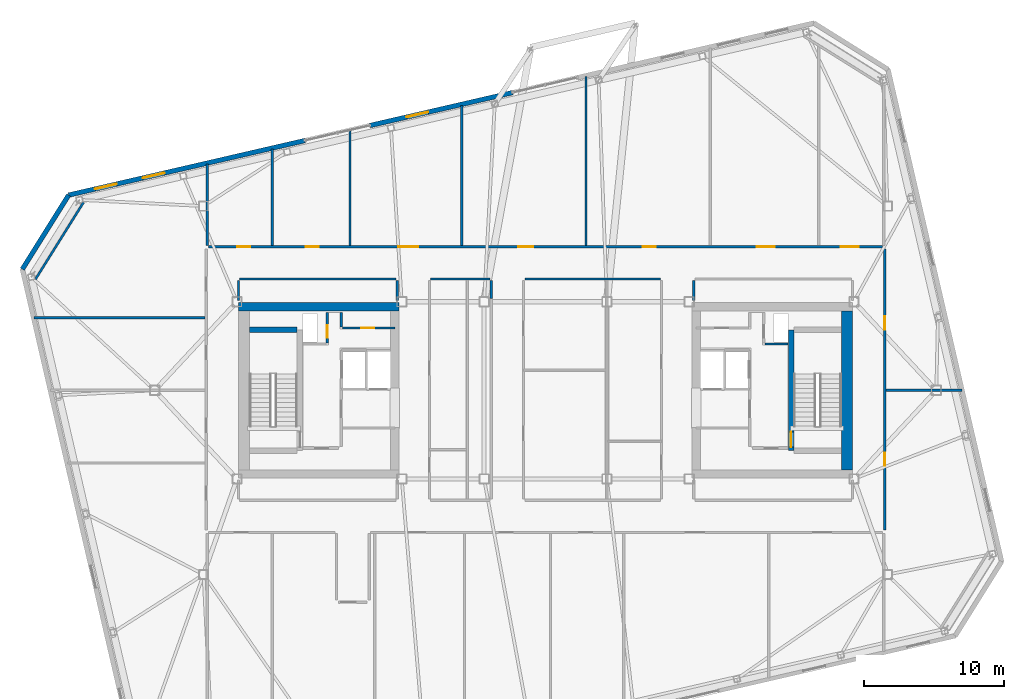
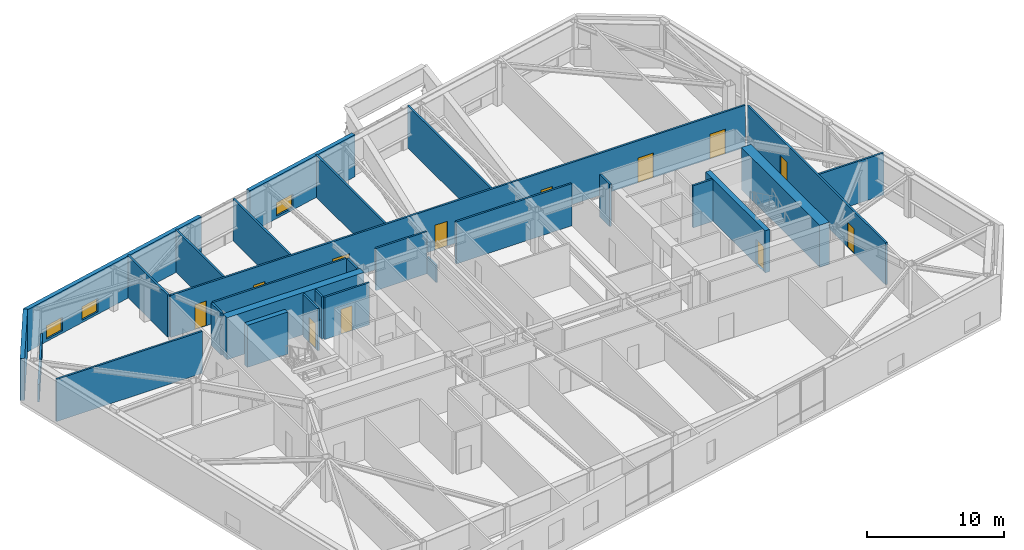
# One storey, part 18 of 23: 28 walls, 12 doors, 3 windows, 15 openings.
"""IFC4 building model written with IfcOpenShell, lengths in metres."""

from ifc_helpers import new_model, si_unit, direction, frame, frame_2d, origin, place, context, subcontext, project, spatial, rectangle, extrude, material, layer, layer_set, type_object, element, fill, save


model = new_model("IFC4")

# Units and contexts
model_context = context("Model", 3, precision=1e-05, world=origin(), true_north=direction((0.0, 1.0)))
body_context = subcontext(model_context, "Body", "Model", "MODEL_VIEW")
ifc_project = project(units=[si_unit("LENGTHUNIT", "METRE"), si_unit("AREAUNIT", "SQUARE_METRE"), si_unit("VOLUMEUNIT", "CUBIC_METRE"), si_unit("PLANEANGLEUNIT", "RADIAN"), si_unit("MASSUNIT", "GRAM", prefix="KILO")], contexts=[model_context])

# Site, building, storey
site_placement = place(None, origin())
site = spatial("IfcSite", under=ifc_project, at=site_placement, CompositionType="ELEMENT")
building_placement = place(site_placement, origin())
building = spatial("IfcBuilding", under=site, at=building_placement, Name="Tavrogorsk Clinical Tower", CompositionType="ELEMENT")
storey_placement = place(building_placement, frame((0.0, 0.0, 305.0)))
storey = spatial("IfcBuildingStorey", under=building, at=storey_placement, Name="L71", CompositionType="ELEMENT", Elevation=305.0)

# Wall, opening, door
ifc_material_1 = material(Name="Lightweight concrete blockwork B15", Category="masonry")
ifc_layer_1 = layer(ifc_material_1, 0.159912109375)
ifc_layer_set_1 = layer_set([ifc_layer_1], Name="Lightweight concrete blockwork B15")
wall_type_1 = type_object("IfcWallType", Name="PartitionWall_160", PredefinedType="PARTITIONING", material=ifc_layer_set_1)
wall_1_placement = place(storey_placement, frame((-14.554931640625, 4.4599609375, 0.0), z_axis=(0.0, 0.0, 1.0), x_axis=(1.0, 0.0, 0.0)))
wall_1 = element("IfcWall", 1, at=wall_1_placement, inside=storey, type_object=wall_type_1, Name="L71 Core West Pneumatic Dispatch South Wall", PredefinedType="PARTITIONING", context=body_context, shape_type="SweptSolid", body=[
    extrude(rectangle(XDim=3.7548828125, YDim=0.159912109375, at=frame_2d((1.87744140625, 0.0))), origin(), (0.0, 0.0, 1.0), 3.739990234375),
])
opening_1_placement = place(wall_1_placement, frame((1.35009765625, 0.0, 0.0)))
opening_1 = element("IfcOpeningElement", 2, at=opening_1_placement, cuts=wall_1, Name="Opening ID-02", PredefinedType="OPENING", context=body_context, shape_type="SweptSolid", body=[
    extrude(rectangle(XDim=0.949951171875, YDim=2.199951171875, at=frame_2d((0.47509765625, 1.10009765625))), frame((0.0, 0.08984375, 0.0), z_axis=(0.0, -1.0, 0.0), x_axis=(1.0, 0.0, 0.0)), (0.0, 0.0, 1.0), 0.179931640625),
])
ifc_material_2 = material(Name="Laminated timber leaf on aluminium frame", Category="wood")
door_type_1 = type_object("IfcDoorType", Name="InteriorDoor_ID02_950", OperationType="NOTDEFINED", PredefinedType="DOOR", material=ifc_material_2)
door_1_placement = place(opening_1_placement, origin())
door_1 = element("IfcDoor", 3, at=door_1_placement, inside=storey, type_object=door_type_1, Name="L71 Core West Pneumatic Dispatch Door", OperationType="SINGLE_SWING_LEFT", OverallHeight=2.199951171875, OverallWidth=0.949951171875, PredefinedType="DOOR", context=body_context, shape_type="SweptSolid", body=[
    extrude(rectangle(XDim=0.949951171875, YDim=2.199951171875, at=frame_2d((0.47509765625, 1.10009765625))), frame((0.0, 0.02490234375, 0.0), z_axis=(0.0, -1.0, 0.0), x_axis=(1.0, 0.0, 0.0)), (0.0, 0.0, 1.0), 0.050048828125),
])
fill(opening_1, door_1)

# Walls
wall_2_placement = place(storey_placement, frame((-14.639892578125, 4.544921875, 0.0), z_axis=(0.0, 0.0, 1.0), x_axis=(0.0, 1.0, 0.0)))
element("IfcWall", 4, at=wall_2_placement, inside=storey, type_object=wall_type_1, Name="L71 Core West Pneumatic Dispatch East Wall", PredefinedType="PARTITIONING", context=body_context, shape_type="SweptSolid", body=[
    extrude(rectangle(XDim=1.01513671875, YDim=0.159912109375, at=frame_2d((0.507568359375, 0.0))), origin(), (0.0, 0.0, 1.0), 3.739990234375),
])
wall_3_placement = place(storey_placement, frame((-33.10009765625, 13.464599609375, 0.0), z_axis=(0.0, 0.0, 1.0), x_axis=(-0.529958457806, -0.848023604035, 0.0)))
element("IfcWall", 5, at=wall_3_placement, inside=storey, type_object=wall_type_1, Name="L71 Corner Exoskeleton Brace Furring Wall 3", PredefinedType="PARTITIONING", context=body_context, shape_type="SweptSolid", body=[
    extrude(rectangle(XDim=6.505126953125, YDim=0.159912109375, at=frame_2d((3.25244140625, 0.0))), origin(), (0.0, 0.0, 1.0), 1.534912109375),
])

# Wall, openings, doors
wall_4_placement = place(storey_placement, frame((-24.14501953125, 10.280029296875, 0.0), z_axis=(0.0, 0.0, 1.0), x_axis=(1.0, 0.0, 0.0)))
wall_4 = element("IfcWall", 6, at=wall_4_placement, inside=storey, type_object=wall_type_1, Name="L71 Corridor Partition 02", PredefinedType="PARTITIONING", context=body_context, shape_type="SweptSolid", body=[
    extrude(rectangle(XDim=48.2900390625, YDim=0.159912109375, at=frame_2d((24.14501953125, 0.0))), origin(), (0.0, 0.0, 1.0), 3.739990234375),
])
opening_2_placement = place(wall_4_placement, frame((2.044189453125, 0.0, 0.0)))
opening_2 = element("IfcOpeningElement", 7, at=opening_2_placement, cuts=wall_4, Name="Opening ID-02", PredefinedType="OPENING", context=body_context, shape_type="SweptSolid", body=[
    extrude(rectangle(XDim=0.949951171875, YDim=2.199951171875, at=frame_2d((0.47509765625, 1.10009765625))), frame((0.0, 0.08984375, 0.0), z_axis=(0.0, -1.0, 0.0), x_axis=(1.0, 0.0, 0.0)), (0.0, 0.0, 1.0), 0.179931640625),
])
opening_3_placement = place(wall_4_placement, frame((6.965087890625, 0.0, 0.0)))
opening_3 = element("IfcOpeningElement", 8, at=opening_3_placement, cuts=wall_4, Name="Opening ID-02", PredefinedType="OPENING", context=body_context, shape_type="SweptSolid", body=[
    extrude(rectangle(XDim=0.949951171875, YDim=2.199951171875, at=frame_2d((0.47509765625, 1.10009765625))), frame((0.0, 0.08984375, 0.0), z_axis=(0.0, -1.0, 0.0), x_axis=(1.0, 0.0, 0.0)), (0.0, 0.0, 1.0), 0.179931640625),
])
opening_4_placement = place(wall_4_placement, frame((13.580078125, 0.0, 0.0)))
opening_4 = element("IfcOpeningElement", 9, at=opening_4_placement, cuts=wall_4, Name="Opening ID-05", PredefinedType="OPENING", context=body_context, shape_type="SweptSolid", body=[
    extrude(rectangle(XDim=1.449951171875, YDim=2.199951171875, at=frame_2d((0.72509765625, 1.10009765625))), frame((0.0, 0.08984375, 0.0), z_axis=(0.0, -1.0, 0.0), x_axis=(1.0, 0.0, 0.0)), (0.0, 0.0, 1.0), 0.179931640625),
])
opening_5_placement = place(wall_4_placement, frame((22.205078125, 0.0, 0.0)))
opening_5 = element("IfcOpeningElement", 10, at=opening_5_placement, cuts=wall_4, Name="Opening ID-04", PredefinedType="OPENING", context=body_context, shape_type="SweptSolid", body=[
    extrude(rectangle(XDim=1.050048828125, YDim=2.199951171875, at=frame_2d((0.52490234375, 1.10009765625))), frame((0.0, 0.08984375, 0.0), z_axis=(0.0, -1.0, 0.0), x_axis=(1.0, 0.0, 0.0)), (0.0, 0.0, 1.0), 0.179931640625),
])
opening_6_placement = place(wall_4_placement, frame((31.10498046875, 0.0, 0.0)))
opening_6 = element("IfcOpeningElement", 11, at=opening_6_placement, cuts=wall_4, Name="Opening ID-02", PredefinedType="OPENING", context=body_context, shape_type="SweptSolid", body=[
    extrude(rectangle(XDim=0.949951171875, YDim=2.199951171875, at=frame_2d((0.47509765625, 1.10009765625))), frame((0.0, 0.08984375, 0.0), z_axis=(0.0, -1.0, 0.0), x_axis=(1.0, 0.0, 0.0)), (0.0, 0.0, 1.0), 0.179931640625),
])
opening_7_placement = place(wall_4_placement, frame((39.27001953125, 0.0, 0.0)))
opening_7 = element("IfcOpeningElement", 12, at=opening_7_placement, cuts=wall_4, Name="Opening ID-01", PredefinedType="OPENING", context=body_context, shape_type="SweptSolid", body=[
    extrude(rectangle(XDim=1.300048828125, YDim=2.199951171875, at=frame_2d((0.64990234375, 1.10009765625))), frame((0.0, 0.08984375, 0.0), z_axis=(0.0, -1.0, 0.0), x_axis=(1.0, 0.0, 0.0)), (0.0, 0.0, 1.0), 0.179931640625),
])
opening_8_placement = place(wall_4_placement, frame((45.291015625, 0.0, 0.0)))
opening_8 = element("IfcOpeningElement", 13, at=opening_8_placement, cuts=wall_4, Name="Opening ID-01", PredefinedType="OPENING", context=body_context, shape_type="SweptSolid", body=[
    extrude(rectangle(XDim=1.300048828125, YDim=2.199951171875, at=frame_2d((0.64990234375, 1.10009765625))), frame((0.0, 0.08984375, 0.0), z_axis=(0.0, -1.0, 0.0), x_axis=(1.0, 0.0, 0.0)), (0.0, 0.0, 1.0), 0.179931640625),
])
ifc_material_3 = material(Name="Antibacterial HPL consultation door on aluminium frame", Category="aluminium")
door_type_2 = type_object("IfcDoorType", Name="ConsultDoor_ID04_1050", OperationType="NOTDEFINED", PredefinedType="DOOR", material=ifc_material_3)
door_2_placement = place(opening_5_placement, origin())
door_2 = element("IfcDoor", 14, at=door_2_placement, inside=storey, type_object=door_type_2, Name="L71 North Physician Consultation Office 04 Door", OperationType="SINGLE_SWING_RIGHT", OverallHeight=2.199951171875, OverallWidth=1.050048828125, PredefinedType="DOOR", context=body_context, shape_type="SweptSolid", body=[
    extrude(rectangle(XDim=1.050048828125, YDim=2.199951171875, at=frame_2d((0.52490234375, 1.10009765625))), frame((0.0, 0.02490234375, 0.0), z_axis=(0.0, -1.0, 0.0), x_axis=(1.0, 0.0, 0.0)), (0.0, 0.0, 1.0), 0.050048828125),
])
fill(opening_5, door_2)
ifc_material_4 = material(Name="Antibacterial HPL bariatric ward double door")
door_type_3 = type_object("IfcDoorType", Name="DoubleWardDoor_ID05_1450", OperationType="DOUBLE_SWING_LEFT", PredefinedType="DOOR", material=ifc_material_4)
door_3_placement = place(opening_4_placement, origin())
door_3 = element("IfcDoor", 15, at=door_3_placement, inside=storey, type_object=door_type_3, Name="L71 North Step-Down Telemetry Ward 03 Door", OperationType="DOUBLE_SWING_LEFT", OverallHeight=2.199951171875, OverallWidth=1.449951171875, PredefinedType="DOOR", context=body_context, shape_type="SweptSolid", body=[
    extrude(rectangle(XDim=1.449951171875, YDim=2.199951171875, at=frame_2d((0.72509765625, 1.10009765625))), frame((0.0, 0.02490234375, 0.0), z_axis=(0.0, -1.0, 0.0), x_axis=(1.0, 0.0, 0.0)), (0.0, 0.0, 1.0), 0.050048828125),
])
fill(opening_4, door_3)
door_4_placement = place(opening_2_placement, origin())
door_4 = element("IfcDoor", 16, at=door_4_placement, inside=storey, type_object=door_type_1, Name="L71 North Diagnostic Ultrasound Suite 01 Door", OperationType="SINGLE_SWING_LEFT", OverallHeight=2.199951171875, OverallWidth=0.949951171875, PredefinedType="DOOR", context=body_context, shape_type="SweptSolid", body=[
    extrude(rectangle(XDim=0.949951171875, YDim=2.199951171875, at=frame_2d((0.47509765625, 1.10009765625))), frame((0.0, 0.02490234375, 0.0), z_axis=(0.0, -1.0, 0.0), x_axis=(1.0, 0.0, 0.0)), (0.0, 0.0, 1.0), 0.050048828125),
])
fill(opening_2, door_4)
door_5_placement = place(opening_3_placement, origin())
door_5 = element("IfcDoor", 17, at=door_5_placement, inside=storey, type_object=door_type_1, Name="L71 North Physiotherapy Rehab Studio 02 Door", OperationType="SINGLE_SWING_RIGHT", OverallHeight=2.199951171875, OverallWidth=0.949951171875, PredefinedType="DOOR", context=body_context, shape_type="SweptSolid", body=[
    extrude(rectangle(XDim=0.949951171875, YDim=2.199951171875, at=frame_2d((0.47509765625, 1.10009765625))), frame((0.0, 0.02490234375, 0.0), z_axis=(0.0, -1.0, 0.0), x_axis=(1.0, 0.0, 0.0)), (0.0, 0.0, 1.0), 0.050048828125),
])
fill(opening_3, door_5)
door_6_placement = place(opening_6_placement, origin())
door_6 = element("IfcDoor", 18, at=door_6_placement, inside=storey, type_object=door_type_1, Name="L71 North Patient & Family Quiet Lounge 05 Door", OperationType="SINGLE_SWING_LEFT", OverallHeight=2.199951171875, OverallWidth=0.949951171875, PredefinedType="DOOR", context=body_context, shape_type="SweptSolid", body=[
    extrude(rectangle(XDim=0.949951171875, YDim=2.199951171875, at=frame_2d((0.47509765625, 1.10009765625))), frame((0.0, 0.02490234375, 0.0), z_axis=(0.0, -1.0, 0.0), x_axis=(1.0, 0.0, 0.0)), (0.0, 0.0, 1.0), 0.050048828125),
])
fill(opening_6, door_6)
ifc_material_5 = material(Name="Antibacterial HPL medical leaf on aluminium frame", Category="aluminium")
door_type_4 = type_object("IfcDoorType", Name="WardBedDoor_ID01_1300", OperationType="NOTDEFINED", PredefinedType="DOOR", material=ifc_material_5)
door_7_placement = place(opening_7_placement, origin())
door_7 = element("IfcDoor", 19, at=door_7_placement, inside=storey, type_object=door_type_4, Name="L71 North Acute Isolation Suite 06 Door", OperationType="SINGLE_SWING_RIGHT", OverallHeight=2.199951171875, OverallWidth=1.300048828125, PredefinedType="DOOR", context=body_context, shape_type="SweptSolid", body=[
    extrude(rectangle(XDim=1.300048828125, YDim=2.199951171875, at=frame_2d((0.64990234375, 1.10009765625))), frame((0.0, 0.02490234375, 0.0), z_axis=(0.0, -1.0, 0.0), x_axis=(1.0, 0.0, 0.0)), (0.0, 0.0, 1.0), 0.050048828125),
])
fill(opening_7, door_7)
door_8_placement = place(opening_8_placement, origin())
door_8 = element("IfcDoor", 20, at=door_8_placement, inside=storey, type_object=door_type_4, Name="L71 North Sub-Acute Recovery Ward 07 Door", OperationType="SINGLE_SWING_LEFT", OverallHeight=2.199951171875, OverallWidth=1.300048828125, PredefinedType="DOOR", context=body_context, shape_type="SweptSolid", body=[
    extrude(rectangle(XDim=1.300048828125, YDim=2.199951171875, at=frame_2d((0.64990234375, 1.10009765625))), frame((0.0, 0.02490234375, 0.0), z_axis=(0.0, -1.0, 0.0), x_axis=(1.0, 0.0, 0.0)), (0.0, 0.0, 1.0), 0.050048828125),
])
fill(opening_8, door_8)

wall_5_placement = place(storey_placement, frame((24.31005859375, 10.114990234375, 0.0), z_axis=(0.0, 0.0, 1.0), x_axis=(0.0, -1.0, 0.0)))
wall_5 = element("IfcWall", 21, at=wall_5_placement, inside=storey, type_object=wall_type_1, Name="L71 Corridor Partition 03", PredefinedType="PARTITIONING", context=body_context, shape_type="SweptSolid", body=[
    extrude(rectangle(XDim=20.1298828125, YDim=0.159912109375, at=frame_2d((10.06494140625, 0.0))), origin(), (0.0, 0.0, 1.0), 3.739990234375),
])
opening_9_placement = place(wall_5_placement, frame((14.580810546875, 0.0, 0.0)))
opening_9 = element("IfcOpeningElement", 22, at=opening_9_placement, cuts=wall_5, Name="Opening ID-02", PredefinedType="OPENING", context=body_context, shape_type="SweptSolid", body=[
    extrude(rectangle(XDim=0.949951171875, YDim=2.199951171875, at=frame_2d((0.47509765625, 1.10009765625))), frame((0.0, 0.08984375, 0.0), z_axis=(0.0, -1.0, 0.0), x_axis=(1.0, 0.0, 0.0)), (0.0, 0.0, 1.0), 0.179931640625),
])
opening_10_placement = place(wall_5_placement, frame((4.819091796875, 0.0, 0.0)))
opening_10 = element("IfcOpeningElement", 23, at=opening_10_placement, cuts=wall_5, Name="Opening ID-02", PredefinedType="OPENING", context=body_context, shape_type="SweptSolid", body=[
    extrude(rectangle(XDim=0.949951171875, YDim=2.199951171875, at=frame_2d((0.47509765625, 1.10009765625))), frame((0.0, 0.08984375, 0.0), z_axis=(0.0, -1.0, 0.0), x_axis=(1.0, 0.0, 0.0)), (0.0, 0.0, 1.0), 0.179931640625),
])
door_9_placement = place(opening_9_placement, origin())
door_9 = element("IfcDoor", 24, at=door_9_placement, inside=storey, type_object=door_type_1, Name="L71 E Senior Clinician Suite 1 Door", OperationType="SINGLE_SWING_LEFT", OverallHeight=2.199951171875, OverallWidth=0.949951171875, PredefinedType="DOOR", context=body_context, shape_type="SweptSolid", body=[
    extrude(rectangle(XDim=0.949951171875, YDim=2.199951171875, at=frame_2d((0.47509765625, 1.10009765625))), frame((0.0, 0.02490234375, 0.0), z_axis=(0.0, -1.0, 0.0), x_axis=(1.0, 0.0, 0.0)), (0.0, 0.0, 1.0), 0.050048828125),
])
fill(opening_9, door_9)
door_10_placement = place(opening_10_placement, origin())
door_10 = element("IfcDoor", 25, at=door_10_placement, inside=storey, type_object=door_type_1, Name="L71 E Multidisciplinary Seminar Suite 2 Door", OperationType="SINGLE_SWING_RIGHT", OverallHeight=2.199951171875, OverallWidth=0.949951171875, PredefinedType="DOOR", context=body_context, shape_type="SweptSolid", body=[
    extrude(rectangle(XDim=0.949951171875, YDim=2.199951171875, at=frame_2d((0.47509765625, 1.10009765625))), frame((0.0, 0.02490234375, 0.0), z_axis=(0.0, -1.0, 0.0), x_axis=(1.0, 0.0, 0.0)), (0.0, 0.0, 1.0), 0.050048828125),
])
fill(opening_10, door_10)

# Walls
wall_6_placement = place(storey_placement, frame((10.6298828125, 7.885009765625, 0.0), z_axis=(0.0, 0.0, 1.0), x_axis=(0.0, -1.0, 0.0)))
element("IfcWall", 26, at=wall_6_placement, inside=storey, type_object=wall_type_1, Name="L71 Corridor Partition 10", PredefinedType="PARTITIONING", context=body_context, shape_type="SweptSolid", body=[
    extrude(rectangle(XDim=1.465087890625, YDim=0.159912109375, at=frame_2d((0.732421875, 0.0))), origin(), (0.0, 0.0, 1.0), 3.739990234375),
])
wall_7_placement = place(storey_placement, frame((8.235107421875, 7.969970703125, 0.0), z_axis=(0.0, 0.0, 1.0), x_axis=(-1.0, 0.0, 0.0)))
element("IfcWall", 27, at=wall_7_placement, inside=storey, type_object=wall_type_1, Name="L71 Corridor Partition 15", PredefinedType="PARTITIONING", context=body_context, shape_type="SweptSolid", body=[
    extrude(rectangle(XDim=9.72021484375, YDim=0.159912109375, at=frame_2d((4.860107421875, 0.0))), origin(), (0.0, 0.0, 1.0), 3.739990234375),
])
wall_8_placement = place(storey_placement, frame((-3.8798828125, 6.580322265625, 0.0), z_axis=(0.0, 0.0, 1.0), x_axis=(0.0, 1.0, 0.0)))
element("IfcWall", 28, at=wall_8_placement, inside=storey, type_object=wall_type_1, Name="L71 Corridor Partition 19", PredefinedType="PARTITIONING", context=body_context, shape_type="SweptSolid", body=[
    extrude(rectangle(XDim=1.3046875, YDim=0.159912109375, at=frame_2d((0.65234375, 0.0))), origin(), (0.0, 0.0, 1.0), 1.534912109375),
])
wall_9_placement = place(storey_placement, frame((-3.965087890625, 7.969970703125, 0.0), z_axis=(0.0, 0.0, 1.0), x_axis=(-1.0, 0.0, 0.0)))
element("IfcWall", 29, at=wall_9_placement, inside=storey, type_object=wall_type_1, Name="L71 Corridor Partition 20", PredefinedType="PARTITIONING", context=body_context, shape_type="SweptSolid", body=[
    extrude(rectangle(XDim=4.27001953125, YDim=0.159912109375, at=frame_2d((2.135009765625, 0.0))), origin(), (0.0, 0.0, 1.0), 3.739990234375),
])
wall_10_placement = place(storey_placement, frame((-10.6298828125, 6.419921875, 0.0), z_axis=(0.0, 0.0, 1.0), x_axis=(0.0, 1.0, 0.0)))
element("IfcWall", 30, at=wall_10_placement, inside=storey, type_object=wall_type_1, Name="L71 Corridor Partition 24", PredefinedType="PARTITIONING", context=body_context, shape_type="SweptSolid", body=[
    extrude(rectangle(XDim=1.465087890625, YDim=0.159912109375, at=frame_2d((0.732421875, 0.0))), origin(), (0.0, 0.0, 1.0), 3.739990234375),
])
wall_11_placement = place(storey_placement, frame((-10.715087890625, 7.969970703125, 0.0), z_axis=(0.0, 0.0, 1.0), x_axis=(-1.0, 0.0, 0.0)))
element("IfcWall", 31, at=wall_11_placement, inside=storey, type_object=wall_type_1, Name="L71 Corridor Partition 25", PredefinedType="PARTITIONING", context=body_context, shape_type="SweptSolid", body=[
    extrude(rectangle(XDim=11.199951171875, YDim=0.159912109375, at=frame_2d((5.60009765625, 0.0))), origin(), (0.0, 0.0, 1.0), 3.739990234375),
])
wall_12_placement = place(storey_placement, frame((-22.0, 7.885009765625, 0.0), z_axis=(0.0, 0.0, 1.0), x_axis=(0.0, -1.0, 0.0)))
element("IfcWall", 32, at=wall_12_placement, inside=storey, type_object=wall_type_1, Name="L71 Corridor Partition 26", PredefinedType="PARTITIONING", context=body_context, shape_type="SweptSolid", body=[
    extrude(rectangle(XDim=1.465087890625, YDim=0.159912109375, at=frame_2d((0.732421875, 0.0))), origin(), (0.0, 0.0, 1.0), 3.739990234375),
])
wall_13_placement = place(storey_placement, frame((-24.22998046875, 10.364990234375, 0.0), z_axis=(0.0, 0.0, 1.0), x_axis=(0.0, 1.0, 0.0)))
element("IfcWall", 33, at=wall_13_placement, inside=storey, type_object=wall_type_1, Name="L71 NW Wing Closure Partition", PredefinedType="PARTITIONING", context=body_context, shape_type="SweptSolid", body=[
    extrude(rectangle(XDim=5.845947265625, YDim=0.159912109375, at=frame_2d((2.9228515625, 0.0))), origin(), (0.0, 0.0, 1.0), 3.739990234375),
])
wall_14_placement = place(storey_placement, frame((-19.580078125, 10.364990234375, 0.0), z_axis=(0.0, 0.0, 1.0), x_axis=(0.0, 1.0, 0.0)))
element("IfcWall", 34, at=wall_14_placement, inside=storey, type_object=wall_type_1, Name="L71 North Room Partition 1", PredefinedType="PARTITIONING", context=body_context, shape_type="SweptSolid", body=[
    extrude(rectangle(XDim=6.91943359375, YDim=0.159912109375, at=frame_2d((3.459716796875, 0.0))), origin(), (0.0, 0.0, 1.0), 3.739990234375),
])
wall_15_placement = place(storey_placement, frame((-14.0, 10.364990234375, 0.0), z_axis=(0.0, 0.0, 1.0), x_axis=(0.0, 1.0, 0.0)))
element("IfcWall", 35, at=wall_15_placement, inside=storey, type_object=wall_type_1, Name="L71 North Room Partition 2", PredefinedType="PARTITIONING", context=body_context, shape_type="SweptSolid", body=[
    extrude(rectangle(XDim=8.207763671875, YDim=0.159912109375, at=frame_2d((4.10400390625, 0.0))), origin(), (0.0, 0.0, 1.0), 3.739990234375),
])
wall_16_placement = place(storey_placement, frame((-6.0, 10.364990234375, 0.0), z_axis=(0.0, 0.0, 1.0), x_axis=(0.0, 1.0, 0.0)))
element("IfcWall", 36, at=wall_16_placement, inside=storey, type_object=wall_type_1, Name="L71 North Room Partition 3", PredefinedType="PARTITIONING", context=body_context, shape_type="SweptSolid", body=[
    extrude(rectangle(XDim=10.0546875, YDim=0.159912109375, at=frame_2d((5.02734375, 0.0))), origin(), (0.0, 0.0, 1.0), 3.739990234375),
])
wall_17_placement = place(storey_placement, frame((2.89990234375, 10.364990234375, 0.0), z_axis=(0.0, 0.0, 1.0), x_axis=(0.0, 1.0, 0.0)))
element("IfcWall", 37, at=wall_17_placement, inside=storey, type_object=wall_type_1, Name="L71 North Room Partition 4", PredefinedType="PARTITIONING", context=body_context, shape_type="SweptSolid", body=[
    extrude(rectangle(XDim=12.109375, YDim=0.159912109375, at=frame_2d((6.0546875, 0.0))), origin(), (0.0, 0.0, 1.0), 3.739990234375),
])
wall_18_placement = place(storey_placement, frame((-36.662841796875, 5.199951171875, 0.0), z_axis=(0.0, 0.0, 1.0), x_axis=(1.0, 0.0, 0.0)))
element("IfcWall", 38, at=wall_18_placement, inside=storey, type_object=wall_type_1, Name="L71 W Wing Divider 3", PredefinedType="PARTITIONING", context=body_context, shape_type="SweptSolid", body=[
    extrude(rectangle(XDim=12.267822265625, YDim=0.159912109375, at=frame_2d((6.1337890625, 0.0))), origin(), (0.0, 0.0, 1.0), 3.739990234375),
])
wall_19_placement = place(storey_placement, frame((24.39501953125, 0.0, 0.0), z_axis=(0.0, 0.0, 1.0), x_axis=(1.0, 0.0, 0.0)))
element("IfcWall", 39, at=wall_19_placement, inside=storey, type_object=wall_type_1, Name="L71 E Wing Divider 1", PredefinedType="PARTITIONING", context=body_context, shape_type="SweptSolid", body=[
    extrude(rectangle(XDim=5.436279296875, YDim=0.159912109375, at=frame_2d((2.71826171875, 0.0))), origin(), (0.0, 0.0, 1.0), 3.739990234375),
])

# Wall, opening, window
ifc_material_6 = material(Name="Precast concrete B45 with limestone cladding", Category="masonry")
ifc_layer_2 = layer(ifc_material_6, 0.340087890625)
ifc_layer_set_2 = layer_set([ifc_layer_2], Name="Precast concrete B45 with limestone cladding")
wall_type_2 = type_object("IfcWallType", Name="PrecastLimestoneWall_340", PredefinedType="STANDARD", material=ifc_layer_set_2)
wall_20_placement = place(storey_placement, frame((-2.3681640625, 21.330078125, 0.0), z_axis=(0.0, 0.0, 1.0), x_axis=(-0.974367213107, -0.224963405961, 0.0)))
wall_20 = element("IfcWall", 40, at=wall_20_placement, inside=storey, type_object=wall_type_2, Name="L71 N Limestone Facade Wall 2", PredefinedType="STANDARD", context=body_context, shape_type="SweptSolid", body=[
    extrude(rectangle(XDim=10.46826171875, YDim=0.340087890625, at=frame_2d((5.234130859375, 0.0))), origin(), (0.0, 0.0, 1.0), 3.739990234375),
])
opening_11_placement = place(wall_20_placement, frame((6.190185546875, 0.0, 0.219970703125)))
opening_11 = element("IfcOpeningElement", 41, at=opening_11_placement, cuts=wall_20, Name="Opening WN-09", PredefinedType="OPENING", context=body_context, shape_type="SweptSolid", body=[
    extrude(rectangle(XDim=1.60009765625, YDim=1.199951171875, at=frame_2d((0.800048828125, 0.60009765625))), frame((0.0, 0.179931640625, 0.0), z_axis=(0.0, -1.0, 0.0), x_axis=(1.0, 0.0, 0.0)), (0.0, 0.0, 1.0), 0.360107421875),
])
ifc_material_7 = material(Name="Thermally broken aluminium frame and triple IGU", Category="aluminium")
window_type = type_object("IfcWindowType", Name="LowHeadTransWin_1600x1200", PartitioningType="DOUBLE_PANEL_VERTICAL", PredefinedType="WINDOW", material=ifc_material_7)
window_1_placement = place(opening_11_placement, origin())
window_1 = element("IfcWindow", 42, at=window_1_placement, inside=storey, type_object=window_type, Name="L71 N Chicago Window 05", OverallHeight=1.199951171875, OverallWidth=1.60009765625, PartitioningType="SINGLE_PANEL", PredefinedType="WINDOW", context=body_context, shape_type="SweptSolid", body=[
    extrude(rectangle(XDim=1.60009765625, YDim=1.199951171875, at=frame_2d((0.800048828125, 0.60009765625))), frame((0.0, 0.030029296875, 0.0), z_axis=(0.0, -1.0, 0.0), x_axis=(1.0, 0.0, 0.0)), (0.0, 0.0, 1.0), 0.06005859375),
])
fill(opening_11, window_1)

# Wall, openings, windows
wall_21_placement = place(storey_placement, frame((-17.2451171875, 17.895263671875, 0.0), z_axis=(0.0, 0.0, 1.0), x_axis=(-0.97437318493, -0.224937539085, 0.0)))
wall_21 = element("IfcWall", 43, at=wall_21_placement, inside=storey, type_object=wall_type_2, Name="L71 N Limestone Facade Wall 3", PredefinedType="STANDARD", context=body_context, shape_type="SweptSolid", body=[
    extrude(rectangle(XDim=17.365966796875, YDim=0.340087890625, at=frame_2d((8.68310546875, 0.0))), origin(), (0.0, 0.0, 1.0), 3.739990234375),
])
opening_12_placement = place(wall_21_placement, frame((13.82470703125, 0.0, 0.219970703125)))
opening_12 = element("IfcOpeningElement", 44, at=opening_12_placement, cuts=wall_21, Name="Opening WN-09", PredefinedType="OPENING", context=body_context, shape_type="SweptSolid", body=[
    extrude(rectangle(XDim=1.60009765625, YDim=1.199951171875, at=frame_2d((0.800048828125, 0.60009765625))), frame((0.0, 0.179931640625, 0.0), z_axis=(0.0, -1.0, 0.0), x_axis=(1.0, 0.0, 0.0)), (0.0, 0.0, 1.0), 0.360107421875),
])
opening_13_placement = place(wall_21_placement, frame((10.312744140625, 0.0, 0.219970703125)))
opening_13 = element("IfcOpeningElement", 45, at=opening_13_placement, cuts=wall_21, Name="Opening WN-09", PredefinedType="OPENING", context=body_context, shape_type="SweptSolid", body=[
    extrude(rectangle(XDim=1.60009765625, YDim=1.199951171875, at=frame_2d((0.800048828125, 0.60009765625))), frame((0.0, 0.179931640625, 0.0), z_axis=(0.0, -1.0, 0.0), x_axis=(1.0, 0.0, 0.0)), (0.0, 0.0, 1.0), 0.360107421875),
])
window_2_placement = place(opening_12_placement, origin())
window_2 = element("IfcWindow", 46, at=window_2_placement, inside=storey, type_object=window_type, Name="L71 N Chicago Window 01", OverallHeight=1.199951171875, OverallWidth=1.60009765625, PartitioningType="SINGLE_PANEL", PredefinedType="WINDOW", context=body_context, shape_type="SweptSolid", body=[
    extrude(rectangle(XDim=1.60009765625, YDim=1.199951171875, at=frame_2d((0.800048828125, 0.60009765625))), frame((0.0, 0.030029296875, 0.0), z_axis=(0.0, -1.0, 0.0), x_axis=(1.0, 0.0, 0.0)), (0.0, 0.0, 1.0), 0.06005859375),
])
fill(opening_12, window_2)
window_3_placement = place(opening_13_placement, origin())
window_3 = element("IfcWindow", 47, at=window_3_placement, inside=storey, type_object=window_type, Name="L71 N Chicago Window 02", OverallHeight=1.199951171875, OverallWidth=1.60009765625, PartitioningType="SINGLE_PANEL", PredefinedType="WINDOW", context=body_context, shape_type="SweptSolid", body=[
    extrude(rectangle(XDim=1.60009765625, YDim=1.199951171875, at=frame_2d((0.800048828125, 0.60009765625))), frame((0.0, 0.030029296875, 0.0), z_axis=(0.0, -1.0, 0.0), x_axis=(1.0, 0.0, 0.0)), (0.0, 0.0, 1.0), 0.06005859375),
])
fill(opening_13, window_3)

# Wall
wall_22_placement = place(storey_placement, frame((-34.165771484375, 13.989013671875, 0.0), z_axis=(0.0, 0.0, 1.0), x_axis=(-0.529935887993, -0.848037708252, 0.0)))
element("IfcWall", 48, at=wall_22_placement, inside=storey, type_object=wall_type_2, Name="L71 Chamfered Corner Wall 3", PredefinedType="STANDARD", context=body_context, shape_type="SweptSolid", body=[
    extrude(rectangle(XDim=6.26513671875, YDim=0.340087890625, at=frame_2d((3.132568359375, 0.0))), origin(), (0.0, 0.0, 1.0), 3.739990234375),
])

# Wall, opening, door
ifc_material_8 = material(Name="Lightweight concrete blockwork B25", Category="masonry")
ifc_layer_3 = layer(ifc_material_8, 0.159912109375)
ifc_layer_set_3 = layer_set([ifc_layer_3], Name="Lightweight concrete blockwork B25")
wall_type_3 = type_object("IfcWallType", Name="ShaftWall_160", PredefinedType="PARTITIONING", material=ifc_layer_set_3)
wall_23_placement = place(storey_placement, frame((-15.639892578125, 3.405029296875, 0.0), z_axis=(0.0, 0.0, 1.0), x_axis=(0.0, 1.0, 0.0)))
wall_23 = element("IfcWall", 49, at=wall_23_placement, inside=storey, type_object=wall_type_3, Name="L71 Core West Riser West Wall", PredefinedType="PARTITIONING", context=body_context, shape_type="SweptSolid", body=[
    extrude(rectangle(XDim=2.155029296875, YDim=0.159912109375, at=frame_2d((1.07763671875, 0.0))), origin(), (0.0, 0.0, 1.0), 3.739990234375),
])
opening_14_placement = place(wall_23_placement, frame((0.35009765625, 0.0, 0.0)))
opening_14 = element("IfcOpeningElement", 50, at=opening_14_placement, cuts=wall_23, Name="Opening FD-02", PredefinedType="OPENING", context=body_context, shape_type="SweptSolid", body=[
    extrude(rectangle(XDim=0.89990234375, YDim=2.199951171875, at=frame_2d((0.449951171875, 1.10009765625))), frame((0.0, 0.08984375, 0.0), z_axis=(0.0, -1.0, 0.0), x_axis=(1.0, 0.0, 0.0)), (0.0, 0.0, 1.0), 0.179931640625),
])
ifc_material_9 = material(Name="Galvanised steel fire-rated door assembly", Category="steel")
door_type_5 = type_object("IfcDoorType", Name="FireDoor_FD02_900", OperationType="NOTDEFINED", PredefinedType="DOOR", material=ifc_material_9)
door_11_placement = place(opening_14_placement, origin())
door_11 = element("IfcDoor", 51, at=door_11_placement, inside=storey, type_object=door_type_5, Name="L71 Core West Electrical Riser Access Door", OperationType="SINGLE_SWING_LEFT", OverallHeight=2.199951171875, OverallWidth=0.89990234375, PredefinedType="DOOR", context=body_context, shape_type="SweptSolid", body=[
    extrude(rectangle(XDim=0.89990234375, YDim=2.199951171875, at=frame_2d((0.449951171875, 1.10009765625))), frame((0.0, 0.02490234375, 0.0), z_axis=(0.0, -1.0, 0.0), x_axis=(1.0, 0.0, 0.0)), (0.0, 0.0, 1.0), 0.050048828125),
])
fill(opening_14, door_11)

# Walls
wall_24_placement = place(storey_placement, frame((15.72509765625, 3.320068359375, 0.0), z_axis=(0.0, 0.0, 1.0), x_axis=(1.0, 0.0, 0.0)))
element("IfcWall", 52, at=wall_24_placement, inside=storey, type_object=wall_type_3, Name="L71 Core East Riser South Wall", PredefinedType="PARTITIONING", context=body_context, shape_type="SweptSolid", body=[
    extrude(rectangle(XDim=1.65478515625, YDim=0.159912109375, at=frame_2d((0.827392578125, 0.0))), origin(), (0.0, 0.0, 1.0), 3.739990234375),
])
ifc_material_10 = material(Name="Concrete B80", Category="concrete")
ifc_layer_4 = layer(ifc_material_10, 0.39990234375)
ifc_layer_set_4 = layer_set([ifc_layer_4], Name="Concrete B80")
wall_type_4 = type_object("IfcWallType", Name="ShearWall_400", PredefinedType="SHEAR", material=ifc_layer_set_4)
wall_25_placement = place(storey_placement, frame((-21.199951171875, 4.324951171875, 0.0), z_axis=(0.0, 0.0, 1.0), x_axis=(1.0, 0.0, 0.0)))
element("IfcWall", 53, at=wall_25_placement, inside=storey, type_object=wall_type_4, Name="L71 Core West Stair Shaft North Shear Wall", PredefinedType="SHEAR", context=body_context, shape_type="SweptSolid", body=[
    extrude(rectangle(XDim=3.39990234375, YDim=0.39990234375, at=frame_2d((1.699951171875, 0.0))), origin(), (0.0, 0.0, 1.0), 3.739990234375),
])

# Wall, opening, door
wall_26_placement = place(storey_placement, frame((17.60009765625, -4.324951171875, 0.0), z_axis=(0.0, 0.0, 1.0), x_axis=(0.0, 1.0, 0.0)))
wall_26 = element("IfcWall", 54, at=wall_26_placement, inside=storey, type_object=wall_type_4, Name="L71 Core East Stair Shaft Inner Shear Wall", PredefinedType="SHEAR", context=body_context, shape_type="SweptSolid", body=[
    extrude(rectangle(XDim=8.64990234375, YDim=0.39990234375, at=frame_2d((4.324951171875, 0.0))), origin(), (0.0, 0.0, 1.0), 3.739990234375),
])
opening_15_placement = place(wall_26_placement, frame((0.25, 0.0, 0.0)))
opening_15 = element("IfcOpeningElement", 55, at=opening_15_placement, cuts=wall_26, Name="Opening SD-01", PredefinedType="OPENING", context=body_context, shape_type="SweptSolid", body=[
    extrude(rectangle(XDim=1.10009765625, YDim=2.199951171875, at=frame_2d((0.550048828125, 1.10009765625))), frame((0.0, 0.2099609375, 0.0), z_axis=(0.0, -1.0, 0.0), x_axis=(1.0, 0.0, 0.0)), (0.0, 0.0, 1.0), 0.419921875),
])
ifc_material_11 = material(Name="Galvanised steel smoke-tight fire door assembly", Category="steel")
door_type_6 = type_object("IfcDoorType", Name="StairFireDoor_SD01_1100", OperationType="NOTDEFINED", PredefinedType="DOOR", material=ifc_material_11)
door_12_placement = place(opening_15_placement, origin())
door_12 = element("IfcDoor", 56, at=door_12_placement, inside=storey, type_object=door_type_6, Name="L71 ST-E Exit Stair Door", OperationType="SINGLE_SWING_LEFT", OverallHeight=2.199951171875, OverallWidth=1.10009765625, PredefinedType="DOOR", context=body_context, shape_type="SweptSolid", body=[
    extrude(rectangle(XDim=1.10009765625, YDim=2.199951171875, at=frame_2d((0.550048828125, 1.10009765625))), frame((0.0, 0.02490234375, 0.0), z_axis=(0.0, -1.0, 0.0), x_axis=(1.0, 0.0, 0.0)), (0.0, 0.0, 1.0), 0.050048828125),
])
fill(opening_15, door_12)

# Walls
ifc_material_12 = material(Name="Concrete B80", Category="concrete")
ifc_layer_5 = layer(ifc_material_12, 0.60009765625)
ifc_layer_set_5 = layer_set([ifc_layer_5], Name="Concrete B80")
wall_type_5 = type_object("IfcWallType", Name="ShearWall_600", PredefinedType="SHEAR", material=ifc_layer_set_5)
wall_27_placement = place(storey_placement, frame((-22.0, 6.0, 0.0), z_axis=(0.0, 0.0, 1.0), x_axis=(1.0, 0.0, 0.0)))
element("IfcWall", 57, at=wall_27_placement, inside=storey, type_object=wall_type_5, Name="L71 Core West North Shear Wall", PredefinedType="SHEAR", context=body_context, shape_type="SweptSolid", body=[
    extrude(rectangle(XDim=11.5, YDim=0.60009765625, at=frame_2d((5.75, 0.0))), origin(), (0.0, 0.0, 1.0), 3.739990234375),
])
ifc_material_13 = material(Name="Concrete B80", Category="concrete")
ifc_layer_6 = layer(ifc_material_13, 0.800048828125)
ifc_layer_set_6 = layer_set([ifc_layer_6], Name="Concrete B80")
wall_type_6 = type_object("IfcWallType", Name="ShearWall_800", PredefinedType="SHEAR", material=ifc_layer_set_6)
wall_28_placement = place(storey_placement, frame((21.60009765625, -5.699951171875, 0.0), z_axis=(0.0, 0.0, 1.0), x_axis=(0.0, 1.0, 0.0)))
element("IfcWall", 58, at=wall_28_placement, inside=storey, type_object=wall_type_6, Name="L71 Core East End Shear Wall", PredefinedType="SHEAR", context=body_context, shape_type="SweptSolid", body=[
    extrude(rectangle(XDim=11.39990234375, YDim=0.800048828125, at=frame_2d((5.699951171875, 0.0))), origin(), (0.0, 0.0, 1.0), 3.739990234375),
])

save(model, "model.ifc")
